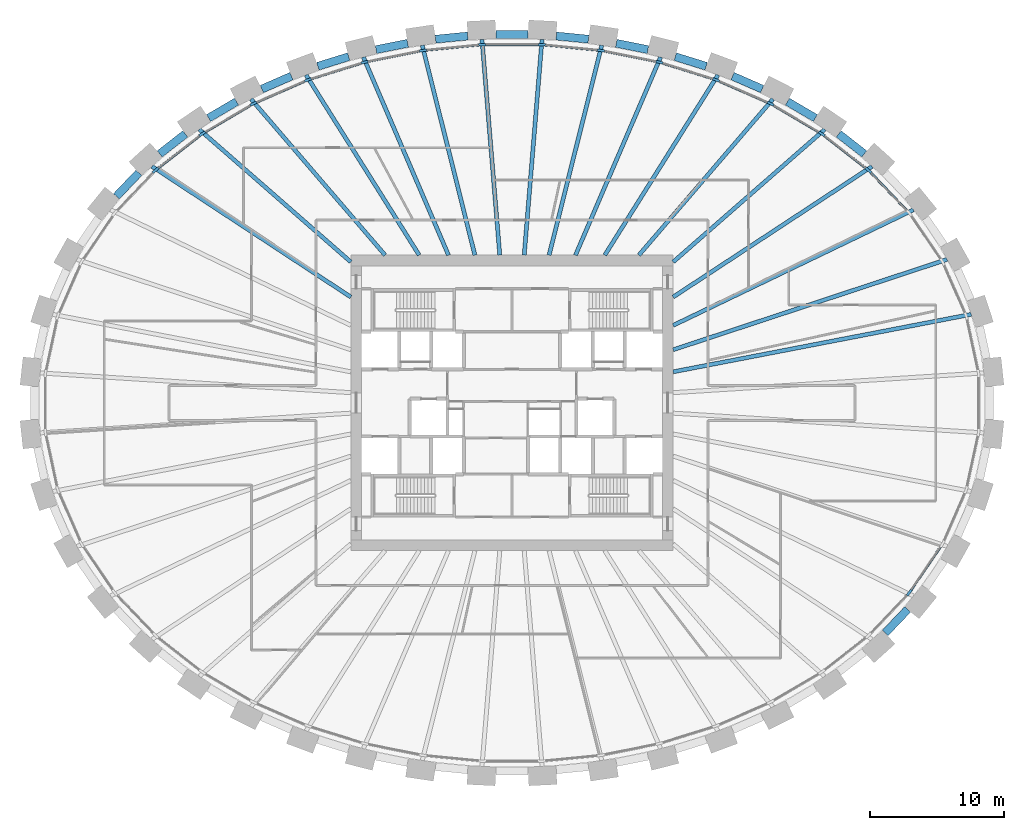
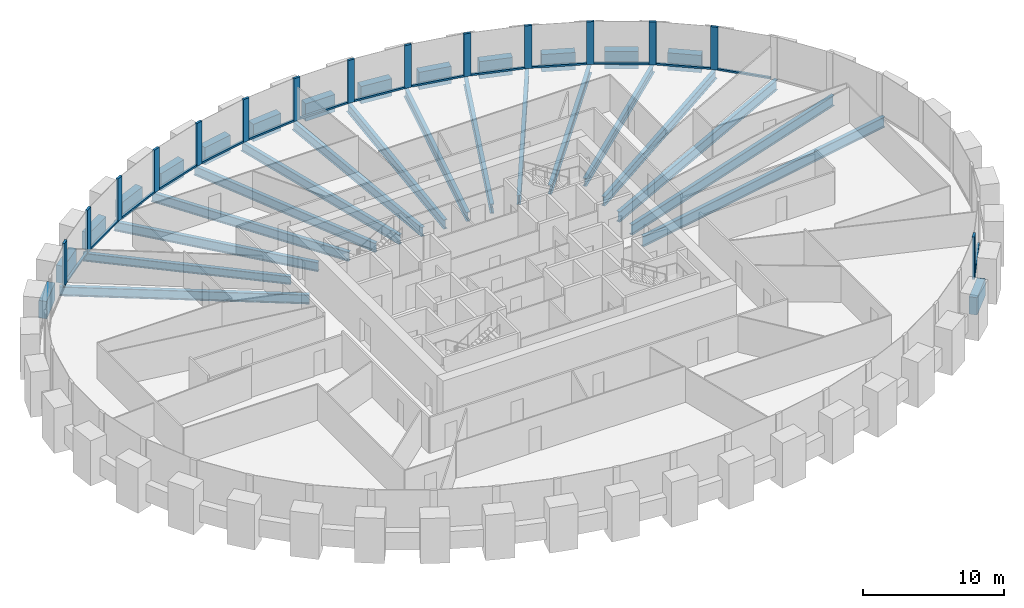
# One storey, part 3 of 11: 32 beams, 30 members, 1 element without a shape of its own.
"""IFC4 building model written with IfcOpenShell, lengths in metres."""

import ifcopenshell
import ifcopenshell.guid

model = None  # the IFC model being written
_history = None  # IfcOwnerHistory: only IFC2X3 demands one
_inside = {}  # id of a spatial element -> (the spatial element, [elements in it])
_under = {}  # id of a project, library or spatial element -> (it, [spatial elements below it])
_declared = {}  # id of a project -> (the project, [libraries it declares])
_typed = {}  # id of a type object -> (the type object, [elements of that type])
_made_of = {}  # id of a material, layer set ... -> (it, [elements and type objects made of it])


def new_model(schema):
    """Start an empty IFC model of exactly this schema.

    Asked for "IFC4X3", IfcOpenShell would pick the latest addendum, in which some entities
    have other attributes; the version numbers below select the first issue.
    IFC2X3 requires an IfcOwnerHistory on every rooted entity: one is made here for all.
    """
    global model, _history
    if schema == "IFC4X3":
        model = ifcopenshell.file(schema_version=(4, 3, 0, 0))
    else:
        model = ifcopenshell.file(schema=schema)
    _inside.clear()
    _under.clear()
    _declared.clear()
    _typed.clear()
    _made_of.clear()
    _history = None
    if model.schema == "IFC2X3":
        org = make("IfcOrganization", Name="unknown")
        user = make(
            "IfcPersonAndOrganization",
            ThePerson=make("IfcPerson", FamilyName="unknown"),
            TheOrganization=org,
        )
        app = make(
            "IfcApplication",
            ApplicationDeveloper=org,
            Version="unknown",
            ApplicationFullName="unknown",
            ApplicationIdentifier="unknown",
        )
        _history = make(
            "IfcOwnerHistory",
            OwningUser=user,
            OwningApplication=app,
            ChangeAction="ADDED",
            CreationDate=0,
        )
    return model


def make(cls, **values):
    """One entity of the class cls with the attributes given. An attribute that is None is left unset."""
    return model.create_entity(
        cls, **{name: value for name, value in values.items() if value is not None}
    )


def rooted(cls, **values):
    """An entity with a GlobalId (a new one), such as an element, a storey or a relation."""
    return make(cls, GlobalId=ifcopenshell.guid.new(), OwnerHistory=_history, **values)


def si_unit(unit_type, name, prefix=None):
    """IfcSIUnit, for example si_unit("LENGTHUNIT", "METRE", prefix="MILLI")."""
    return make("IfcSIUnit", UnitType=unit_type, Prefix=prefix, Name=name)


def assignment(units):
    """IfcUnitAssignment: the units of a project."""
    return None if units is None else make("IfcUnitAssignment", Units=units)


def point(xyz):
    """IfcCartesianPoint."""
    return None if xyz is None else make("IfcCartesianPoint", Coordinates=xyz)


def direction(xyz):
    """IfcDirection."""
    return None if xyz is None else make("IfcDirection", DirectionRatios=xyz)


def frame(location, z_axis=None, x_axis=None):
    """IfcAxis2Placement3D, a coordinate frame: its origin and axes. An axis left out is left unset."""
    return make(
        "IfcAxis2Placement3D",
        Location=point(location),
        Axis=direction(z_axis),
        RefDirection=direction(x_axis),
    )


def frame_2d(location, x_axis=None):
    """IfcAxis2Placement2D, a coordinate frame in the plane: its origin and x axis."""
    return make(
        "IfcAxis2Placement2D", Location=point(location), RefDirection=direction(x_axis)
    )


def origin():
    """The frame at (0, 0, 0) with its axes left unset."""
    return frame((0.0, 0.0, 0.0))


def origin_2d():
    """The frame at (0, 0) in the plane with its x axis left unset."""
    return frame_2d((0.0, 0.0))


def place(relative_to, where):
    """IfcLocalPlacement: puts the frame where relative to a parent placement (None: the world)."""
    return make(
        "IfcLocalPlacement", PlacementRelTo=relative_to, RelativePlacement=where
    )


def context(
    kind, dimensions, precision=None, world=None, true_north=None, identifier=None
):
    """IfcGeometricRepresentationContext, for example the 3D "Model" context."""
    return make(
        "IfcGeometricRepresentationContext",
        ContextIdentifier=identifier,
        ContextType=kind,
        CoordinateSpaceDimension=dimensions,
        Precision=precision,
        WorldCoordinateSystem=world,
        TrueNorth=true_north,
    )


def subcontext(parent, identifier, kind, view, scale=None):
    """IfcGeometricRepresentationSubContext, for example "Body" below "Model"."""
    return make(
        "IfcGeometricRepresentationSubContext",
        ContextIdentifier=identifier,
        ContextType=kind,
        ParentContext=parent,
        TargetScale=scale,
        TargetView=view,
    )


def project(units=None, contexts=None):
    """IfcProject with its units and contexts."""
    return rooted(
        "IfcProject",
        Name="project",
        RepresentationContexts=contexts,
        UnitsInContext=assignment(units),
    )


def spatial(cls, under=None, at=None, **own):
    """A site, building, storey or space (cls), placed at a placement, below another one or the project."""
    s = rooted(cls, ObjectPlacement=at, **own)
    if under is not None:
        _under.setdefault(under.id(), (under, []))[1].append(s)
    return s


def profile(cls, at=None, kind="AREA", **sizes):
    """A parametric profile (cls). Its sizes go by their IFC names, for example OverallWidth=200.0."""
    return make(cls, ProfileType=kind, Position=at, **sizes)


def rectangle(**sizes):
    """IfcRectangleProfileDef."""
    return profile("IfcRectangleProfileDef", **sizes)


def i_section(**sizes):
    """IfcIShapeProfileDef."""
    return profile("IfcIShapeProfileDef", **sizes)


def extrude(swept, where, along, depth):
    """IfcExtrudedAreaSolid: the profile swept, set in the frame where, extruded along a direction by depth."""
    return make(
        "IfcExtrudedAreaSolid",
        SweptArea=swept,
        Position=where,
        ExtrudedDirection=direction(along),
        Depth=depth,
    )


def shape(context_of_items, identifier, shape_type, items):
    """IfcShapeRepresentation: the items that make up one representation, for example the "Body"."""
    return make(
        "IfcShapeRepresentation",
        ContextOfItems=context_of_items,
        RepresentationIdentifier=identifier,
        RepresentationType=shape_type,
        Items=items,
    )


def source(mapping_origin, context_of_items, identifier, shape_type, items):
    """IfcRepresentationMap: a shape defined once, which mapped items show again and again."""
    return make(
        "IfcRepresentationMap",
        MappingOrigin=mapping_origin,
        MappedRepresentation=shape(context_of_items, identifier, shape_type, items),
    )


def transform(
    local_origin,
    x_axis=None,
    y_axis=None,
    z_axis=None,
    scale=None,
    scale2=None,
    scale3=None,
    uniform=True,
):
    """IfcCartesianTransformationOperator3D, or its non-uniform kind. x_axis, y_axis, z_axis: its Axis1, 2, 3."""
    if uniform:
        return make(
            "IfcCartesianTransformationOperator3D",
            Axis1=direction(x_axis),
            Axis2=direction(y_axis),
            LocalOrigin=point(local_origin),
            Scale=scale,
            Axis3=direction(z_axis),
        )
    return make(
        "IfcCartesianTransformationOperator3DnonUniform",
        Axis1=direction(x_axis),
        Axis2=direction(y_axis),
        LocalOrigin=point(local_origin),
        Scale=scale,
        Axis3=direction(z_axis),
        Scale2=scale2,
        Scale3=scale3,
    )


def mapped(mapping_source, mapping_target):
    """IfcMappedItem: shows the shape of a source again, moved by a transform."""
    return make(
        "IfcMappedItem", MappingSource=mapping_source, MappingTarget=mapping_target
    )


def material(Name=None, Category=None):
    """IfcMaterial."""
    return make("IfcMaterial", Name=Name, Category=Category)


def material_profile(
    of_material, cross_section, Name=None, Category=None, Priority=None
):
    """IfcMaterialProfile: a cross section and its material."""
    return make(
        "IfcMaterialProfile",
        Name=Name,
        Material=of_material,
        Profile=cross_section,
        Priority=Priority,
        Category=Category,
    )


def profile_set(profiles, Name=None, composite=None):
    """IfcMaterialProfileSet."""
    return make(
        "IfcMaterialProfileSet",
        Name=Name,
        MaterialProfiles=profiles,
        CompositeProfile=composite,
    )


def made_of(thing, what):
    """Note that an element or type object is made of a material, layer set ...; save() writes the relation."""
    if what is not None:
        _made_of.setdefault(what.id(), (what, []))[1].append(thing)
    return thing


def type_object(cls, material=None, **own):
    """A type object (cls), such as IfcWallType, which elements share."""
    return made_of(rooted(cls, **own), material)


def element(
    cls,
    number,
    at=None,
    inside=None,
    cuts=None,
    type_object=None,
    material=None,
    context=None,
    identifier="Body",
    shape_type=None,
    held_by="IfcProductDefinitionShape",
    body=None,
    shapes=None,
    **own,
):
    """One element of the class cls, such as IfcWall. Its Tag is "e" and its number.

    at: its placement. inside: the storey or other place that contains it. cuts: it is an
    opening in that element (IfcRelVoidsElement). A single representation is given by context,
    identifier, shape_type and body (its items); several are given by shapes. held_by: the class
    of the entity that holds the representations. save() writes the other relations.
    """
    e = rooted(cls, Tag="e%d" % number, ObjectPlacement=at, **own)
    if body is not None:
        shapes = [shape(context, identifier, shape_type, body)]
    if shapes is not None:
        e.Representation = make(held_by, Representations=shapes)
    if inside is not None:
        _inside.setdefault(inside.id(), (inside, []))[1].append(e)
    if cuts is not None:
        rooted(
            "IfcRelVoidsElement", RelatingBuildingElement=cuts, RelatedOpeningElement=e
        )
    if type_object is not None:
        _typed.setdefault(type_object.id(), (type_object, []))[1].append(e)
    return made_of(e, material)


def aggregate(whole, parts):
    """IfcRelAggregates: a whole, such as a stair, and the parts it consists of."""
    return rooted("IfcRelAggregates", RelatingObject=whole, RelatedObjects=parts)


def save(model, path):
    """Write the relations noted so far, then the file.

    IfcRelAggregates (storeys below a building ...), IfcRelContainedInSpatialStructure (elements
    in a storey), IfcRelDefinesByType, IfcRelAssociatesMaterial and IfcRelDeclares: one each for
    every whole, place, type object, material and project.
    """
    for whole, parts in _under.values():
        aggregate(whole, parts)
    for where, things in _inside.values():
        rooted(
            "IfcRelContainedInSpatialStructure",
            RelatedElements=things,
            RelatingStructure=where,
        )
    for kind, things in _typed.values():
        rooted("IfcRelDefinesByType", RelatedObjects=things, RelatingType=kind)
    for what, things in _made_of.values():
        rooted("IfcRelAssociatesMaterial", RelatedObjects=things, RelatingMaterial=what)
    for by, libraries in _declared.values():
        rooted("IfcRelDeclares", RelatingContext=by, RelatedDefinitions=libraries)
    model.write(path)


model = new_model("IFC4")

# Units and contexts
model_context = context("Model", 3, precision=1e-05, world=origin(), true_north=direction((0.0, 1.0)))
body_context = subcontext(model_context, "Body", "Model", "MODEL_VIEW")
ifc_project = project(units=[si_unit("LENGTHUNIT", "METRE"), si_unit("AREAUNIT", "SQUARE_METRE"), si_unit("VOLUMEUNIT", "CUBIC_METRE"), si_unit("PLANEANGLEUNIT", "RADIAN"), si_unit("MASSUNIT", "GRAM", prefix="KILO")], contexts=[model_context])

# Site, building, storey
site_placement = place(None, origin())
site = spatial("IfcSite", under=ifc_project, at=site_placement, CompositionType="ELEMENT")
building_placement = place(site_placement, origin())
building = spatial("IfcBuilding", under=site, at=building_placement, Name="Embergate Tower", CompositionType="ELEMENT")
storey_placement = place(building_placement, frame((0.0, 0.0, 199.5)))
storey = spatial("IfcBuildingStorey", under=building, at=storey_placement, Name="L45", CompositionType="ELEMENT", Elevation=199.5)

# Beams
ifc_material_1 = material(Name="Concrete C60", Category="concrete")
ifc_material_profile_1 = material_profile(ifc_material_1, rectangle(XDim=0.60009765625, YDim=1.5, at=origin_2d()), Name="RC 600x1500")
ifc_profile_set_1 = profile_set([ifc_material_profile_1], Name="Concrete C60")
beam_type_1 = type_object("IfcBeamType", Name="Spandrel beam RC 600x1500 C60", PredefinedType="BEAM", material=ifc_profile_set_1)
shared_shape_1 = source(origin(), body_context, "Body", "SweptSolid", [
    extrude(rectangle(XDim=0.60009765625, YDim=1.5, at=origin_2d()), origin(), (0.0, 0.0, 1.0), 2.419677734375),
])
for number, where, z_axis, x_axis, name in (
    (1, (-27.779052734375, 17.1279296875, 0.0), (-0.69015890768, -0.723657848813, 0.0), (0.723657848813, -0.69015890768, 0.0), "SPN-L45-17"),
    (2, (27.779052734375, -17.1279296875, 0.0), (0.69015890768, 0.723657848813, 0.0), (-0.723657848813, 0.69015890768, 0.0), "SPN-L45-39"),
):
    element("IfcBeam", number, at=place(storey_placement, frame(where, z_axis=z_axis, x_axis=x_axis)), inside=storey, type_object=beam_type_1, Name=name, PredefinedType="BEAM", context=body_context, shape_type="MappedRepresentation", body=[
        mapped(shared_shape_1, transform((0.0, 0.0, 0.0))),
    ])
shared_shape_2 = source(origin(), body_context, "Body", "SweptSolid", [
    extrude(rectangle(XDim=0.60009765625, YDim=1.5, at=origin_2d()), origin(), (0.0, 0.0, 1.0), 2.4150390625),
])
for number, where, z_axis, x_axis, name in (
    (3, (26.222900390625, 18.5380859375, 0.0), (-0.788327742651, 0.615255532415, 0.0), (-0.615255532415, -0.788327742651, 0.0), "SPN-L45-04"),
    (4, (-24.319091796875, 20.02392578125, 0.0), (-0.788327742651, -0.615255532415, 0.0), (0.615255532415, -0.788327742651, 0.0), "SPN-L45-16"),
):
    element("IfcBeam", number, at=place(storey_placement, frame(where, z_axis=z_axis, x_axis=x_axis)), inside=storey, type_object=beam_type_1, Name=name, PredefinedType="BEAM", context=body_context, shape_type="MappedRepresentation", body=[
        mapped(shared_shape_2, transform((0.0, 0.0, 0.0))),
    ])
shared_shape_3 = source(origin(), body_context, "Body", "SweptSolid", [
    extrude(rectangle(XDim=0.60009765625, YDim=1.5, at=origin_2d()), origin(), (0.0, 0.0, 1.0), 2.41015625),
])
for number, where, z_axis, x_axis, name in (
    (5, (22.58203125, 21.205078125, 0.0), (-0.862202298523, 0.506564108895, 0.0), (-0.506564108895, -0.862202298523, 0.0), "SPN-L45-05"),
    (6, (-20.50390625, 22.426025390625, 0.0), (-0.862202298523, -0.506564108895, 0.0), (0.506564108895, -0.862202298523, 0.0), "SPN-L45-15"),
):
    element("IfcBeam", number, at=place(storey_placement, frame(where, z_axis=z_axis, x_axis=x_axis)), inside=storey, type_object=beam_type_1, Name=name, PredefinedType="BEAM", context=body_context, shape_type="MappedRepresentation", body=[
        mapped(shared_shape_3, transform((0.0, 0.0, 0.0))),
    ])
shared_shape_4 = source(origin(), body_context, "Body", "SweptSolid", [
    extrude(rectangle(XDim=0.60009765625, YDim=1.5, at=origin_2d()), origin(), (0.0, 0.0, 1.0), 2.407470703125),
])
for number, where, z_axis, x_axis, name in (
    (7, (18.625, 23.363037109375, 0.0), (-0.916352733651, 0.400371911515, 0.0), (-0.400371911515, -0.916352733651, 0.0), "SPN-L45-06"),
    (8, (-16.4189453125, 24.326904296875, 0.0), (-0.916352733651, -0.400371911515, 0.0), (0.400371911515, -0.916352733651, 0.0), "SPN-L45-14"),
):
    element("IfcBeam", number, at=place(storey_placement, frame(where, z_axis=z_axis, x_axis=x_axis)), inside=storey, type_object=beam_type_1, Name=name, PredefinedType="BEAM", context=body_context, shape_type="MappedRepresentation", body=[
        mapped(shared_shape_4, transform((0.0, 0.0, 0.0))),
    ])
shared_shape_5 = source(origin(), body_context, "Body", "SweptSolid", [
    extrude(rectangle(XDim=0.60009765625, YDim=1.5, at=origin_2d()), origin(), (0.0, 0.0, 1.0), 2.404541015625),
])
for number, where, z_axis, x_axis, name in (
    (9, (14.451904296875, 25.06103515625, 0.0), (-0.954790193156, 0.297280485491, 0.0), (-0.297280485491, -0.954790193156, 0.0), "SPN-L45-07"),
    (10, (-12.156005859375, 25.77587890625, 0.0), (-0.954790193156, -0.297280485491, 0.0), (0.297280485491, -0.954790193156, 0.0), "SPN-L45-13"),
):
    element("IfcBeam", number, at=place(storey_placement, frame(where, z_axis=z_axis, x_axis=x_axis)), inside=storey, type_object=beam_type_1, Name=name, PredefinedType="BEAM", context=body_context, shape_type="MappedRepresentation", body=[
        mapped(shared_shape_5, transform((0.0, 0.0, 0.0))),
    ])
shared_shape_6 = source(origin(), body_context, "Body", "SweptSolid", [
    extrude(rectangle(XDim=0.60009765625, YDim=1.5, at=origin_2d()), origin(), (0.0, 0.0, 1.0), 2.40185546875),
])
for number, where, z_axis, x_axis, name in (
    (11, (10.12109375, 26.2958984375, 0.0), (-0.980486735487, 0.196585252585, 0.0), (-0.196585252585, -0.980486735487, 0.0), "SPN-L45-08"),
    (12, (1.200927734375, 27.416015625, 0.0), (-1.0, 0.0, 0.0), (0.0, -1.0, 0.0), "SPN-L45-10"),
    (13, (-7.76611328125, 26.76806640625, 0.0), (-0.980486735487, -0.196585252585, 0.0), (0.196585252585, -0.980486735487, 0.0), "SPN-L45-12"),
):
    element("IfcBeam", number, at=place(storey_placement, frame(where, z_axis=z_axis, x_axis=x_axis)), inside=storey, type_object=beam_type_1, Name=name, PredefinedType="BEAM", context=body_context, shape_type="MappedRepresentation", body=[
        mapped(shared_shape_6, transform((0.0, 0.0, 0.0))),
    ])
shared_shape_7 = source(origin(), body_context, "Body", "SweptSolid", [
    extrude(rectangle(XDim=0.60009765625, YDim=1.5, at=origin_2d()), origin(), (0.0, 0.0, 1.0), 2.4013671875),
])
for number, where, z_axis, x_axis, name in (
    (14, (5.68896484375, 27.077880859375, 0.0), (-0.995195949519, 0.097903125895, 0.0), (-0.097903125895, -0.995195949519, 0.0), "SPN-L45-09"),
    (15, (-3.299072265625, 27.31298828125, 0.0), (-0.995195949519, -0.097903125895, 0.0), (0.097903125895, -0.995195949519, 0.0), "SPN-L45-11"),
):
    element("IfcBeam", number, at=place(storey_placement, frame(where, z_axis=z_axis, x_axis=x_axis)), inside=storey, type_object=beam_type_1, Name=name, PredefinedType="BEAM", context=body_context, shape_type="MappedRepresentation", body=[
        mapped(shared_shape_7, transform((0.0, 0.0, 0.0))),
    ])
ifc_material_2 = material(Name="Steel Q355B", Category="steel")
ifc_material_profile_2 = material_profile(ifc_material_2, i_section(OverallWidth=0.300048828125, OverallDepth=0.89990234375, WebThickness=0.01611328125, FlangeThickness=0.028076171875, FilletRadius=0.028076171875, at=origin_2d()), Name="HN 900x300x16x28")
ifc_profile_set_2 = profile_set([ifc_material_profile_2], Name="Steel Q355 grade B")
beam_type_2 = type_object("IfcBeamType", Name="Radial girder HN 900x300x16x28", PredefinedType="BEAM", material=ifc_profile_set_2)
shared_shape_8 = source(origin(), body_context, "Body", "SweptSolid", [
    extrude(i_section(OverallWidth=0.300048828125, OverallDepth=0.89990234375, WebThickness=0.01611328125, FlangeThickness=0.028076171875, FilletRadius=0.028076171875, at=origin_2d()), origin(), (0.0, 0.0, 1.0), 22.592041015625),
])
beam_1_placement = place(storey_placement, frame((34.18310546875, 6.593994140625, -0.64990234375), z_axis=(-0.98189899441, -0.189405292367, 0.0), x_axis=(0.189405292367, -0.98189899441, 0.0)))
element("IfcBeam", 16, at=beam_1_placement, inside=storey, type_object=beam_type_2, Name="GIR-L45-01", PredefinedType="BEAM", context=body_context, shape_type="MappedRepresentation", body=[
    mapped(shared_shape_8, transform((0.0, 0.0, 0.0))),
])
shared_shape_9 = source(origin(), body_context, "Body", "SweptSolid", [
    extrude(i_section(OverallWidth=0.300048828125, OverallDepth=0.89990234375, WebThickness=0.01611328125, FlangeThickness=0.028076171875, FilletRadius=0.028076171875, at=origin_2d()), origin(), (0.0, 0.0, 1.0), 21.47119140625),
])
beam_2_placement = place(storey_placement, frame((32.39111328125, 10.681884765625, -0.64990234375), z_axis=(-0.949700564112, -0.313159445849, 0.0), x_axis=(0.313159445849, -0.949700564112, 0.0)))
element("IfcBeam", 17, at=beam_2_placement, inside=storey, type_object=beam_type_2, Name="GIR-L45-02", PredefinedType="BEAM", context=body_context, shape_type="MappedRepresentation", body=[
    mapped(shared_shape_9, transform((0.0, 0.0, 0.0))),
])
shared_shape_10 = source(origin(), body_context, "Body", "SweptSolid", [
    extrude(i_section(OverallWidth=0.300048828125, OverallDepth=0.89990234375, WebThickness=0.01611328125, FlangeThickness=0.028076171875, FilletRadius=0.028076171875, at=origin_2d()), origin(), (0.0, 0.0, 1.0), 19.841064453125),
])
beam_3_placement = place(storey_placement, frame((29.8798828125, 14.3740234375, -0.64990234375), z_axis=(-0.901154450988, -0.433498160854, 0.0), x_axis=(0.433498160854, -0.901154450988, 0.0)))
element("IfcBeam", 18, at=beam_3_placement, inside=storey, type_object=beam_type_2, Name="GIR-L45-03", PredefinedType="BEAM", context=body_context, shape_type="MappedRepresentation", body=[
    mapped(shared_shape_10, transform((0.0, 0.0, 0.0))),
])
ifc_material_profile_3 = material_profile(ifc_material_2, i_section(OverallWidth=0.300048828125, OverallDepth=0.800048828125, WebThickness=0.013916015625, FlangeThickness=0.02587890625, FilletRadius=0.028076171875, at=origin_2d()), Name="HN 800x300x14x26")
ifc_profile_set_3 = profile_set([ifc_material_profile_3], Name="Steel Q355 grade B")
beam_type_3 = type_object("IfcBeamType", Name="Radial girder HN 800x300x14x26", PredefinedType="BEAM", material=ifc_profile_set_3)
shared_shape_11 = source(origin(), body_context, "Body", "SweptSolid", [
    extrude(i_section(OverallWidth=0.300048828125, OverallDepth=0.800048828125, WebThickness=0.013916015625, FlangeThickness=0.02587890625, FilletRadius=0.028076171875, at=origin_2d()), origin(), (0.0, 0.0, 1.0), 17.70654296875),
])
for number, where, z_axis, x_axis, name in (
    (19, (26.798095703125, 17.60693359375, -0.60009765625), (-0.835745977406, -0.549116254767, 0.0), (0.549116254767, -0.835745977406, 0.0), "GIR-L45-04"),
    (20, (-26.798095703125, 17.60693359375, -0.60009765625), (0.835745977406, -0.549116254767, 0.0), (0.549116254767, 0.835745977406, 0.0), "GIR-L45-17"),
):
    element("IfcBeam", number, at=place(storey_placement, frame(where, z_axis=z_axis, x_axis=x_axis)), inside=storey, type_object=beam_type_3, Name=name, PredefinedType="BEAM", context=body_context, shape_type="MappedRepresentation", body=[
        mapped(shared_shape_11, transform((0.0, 0.0, 0.0))),
    ])
ifc_material_profile_4 = material_profile(ifc_material_2, i_section(OverallWidth=0.300048828125, OverallDepth=0.699951171875, WebThickness=0.012939453125, FlangeThickness=0.02392578125, FilletRadius=0.01806640625, at=origin_2d()), Name="HN 700x300x13x24")
ifc_profile_set_4 = profile_set([ifc_material_profile_4], Name="Steel Q355 grade B")
beam_type_4 = type_object("IfcBeamType", Name="Radial girder HN 700x300x13x24", PredefinedType="BEAM", material=ifc_profile_set_4)
shared_shape_12 = source(origin(), body_context, "Body", "SweptSolid", [
    extrude(i_section(OverallWidth=0.300048828125, OverallDepth=0.699951171875, WebThickness=0.012939453125, FlangeThickness=0.02392578125, FilletRadius=0.01806640625, at=origin_2d()), origin(), (0.0, 0.0, 1.0), 14.9794921875),
])
for number, where, z_axis, x_axis, name in (
    (21, (23.27587890625, 20.35595703125, -0.550048828125), (-0.752760419663, -0.658294577365, 0.0), (0.658294577365, -0.752760419663, 0.0), "GIR-L45-05"),
    (22, (-23.27587890625, 20.35595703125, -0.550048828125), (0.752760419663, -0.658294577365, 0.0), (0.658294577365, 0.752760419663, 0.0), "GIR-L45-16"),
):
    element("IfcBeam", number, at=place(storey_placement, frame(where, z_axis=z_axis, x_axis=x_axis)), inside=storey, type_object=beam_type_4, Name=name, PredefinedType="BEAM", context=body_context, shape_type="MappedRepresentation", body=[
        mapped(shared_shape_12, transform((0.0, 0.0, 0.0))),
    ])
shared_shape_13 = source(origin(), body_context, "Body", "SweptSolid", [
    extrude(i_section(OverallWidth=0.300048828125, OverallDepth=0.800048828125, WebThickness=0.013916015625, FlangeThickness=0.02587890625, FilletRadius=0.028076171875, at=origin_2d()), origin(), (0.0, 0.0, 1.0), 15.31689453125),
])
for number, where, z_axis, x_axis, name in (
    (23, (19.425048828125, 22.6201171875, -0.60009765625), (-0.651502542644, -0.758646450548, 0.0), (0.758646450548, -0.651502542644, 0.0), "GIR-L45-06"),
    (24, (-19.425048828125, 22.6201171875, -0.60009765625), (0.651502542644, -0.758646450548, 0.0), (0.758646450548, 0.651502542644, 0.0), "GIR-L45-15"),
):
    element("IfcBeam", number, at=place(storey_placement, frame(where, z_axis=z_axis, x_axis=x_axis)), inside=storey, type_object=beam_type_3, Name=name, PredefinedType="BEAM", context=body_context, shape_type="MappedRepresentation", body=[
        mapped(shared_shape_13, transform((0.0, 0.0, 0.0))),
    ])
shared_shape_14 = source(origin(), body_context, "Body", "SweptSolid", [
    extrude(i_section(OverallWidth=0.300048828125, OverallDepth=0.800048828125, WebThickness=0.013916015625, FlangeThickness=0.02587890625, FilletRadius=0.028076171875, at=origin_2d()), origin(), (0.0, 0.0, 1.0), 15.836181640625),
])
for number, where, z_axis, x_axis, name in (
    (25, (15.330078125, 24.410888671875, -0.60009765625), (-0.531828302788, -0.846852204552, 0.0), (0.846852204552, -0.531828302788, 0.0), "GIR-L45-07"),
    (26, (-15.330078125, 24.410888671875, -0.60009765625), (0.531828302788, -0.846852204552, 0.0), (0.846852204552, 0.531828302788, 0.0), "GIR-L45-14"),
):
    element("IfcBeam", number, at=place(storey_placement, frame(where, z_axis=z_axis, x_axis=x_axis)), inside=storey, type_object=beam_type_3, Name=name, PredefinedType="BEAM", context=body_context, shape_type="MappedRepresentation", body=[
        mapped(shared_shape_14, transform((0.0, 0.0, 0.0))),
    ])
shared_shape_15 = source(origin(), body_context, "Body", "SweptSolid", [
    extrude(i_section(OverallWidth=0.300048828125, OverallDepth=0.800048828125, WebThickness=0.013916015625, FlangeThickness=0.02587890625, FilletRadius=0.028076171875, at=origin_2d()), origin(), (0.0, 0.0, 1.0), 16.043701171875),
])
for number, where, z_axis, x_axis, name in (
    (27, (11.06298828125, 25.739990234375, -0.60009765625), (-0.394857578675, -0.918742342859, 0.0), (0.918742342859, -0.394857578675, 0.0), "GIR-L45-08"),
    (28, (-11.06298828125, 25.739990234375, -0.60009765625), (0.394857578675, -0.918742342859, 0.0), (0.918742342859, 0.394857578675, 0.0), "GIR-L45-13"),
):
    element("IfcBeam", number, at=place(storey_placement, frame(where, z_axis=z_axis, x_axis=x_axis)), inside=storey, type_object=beam_type_3, Name=name, PredefinedType="BEAM", context=body_context, shape_type="MappedRepresentation", body=[
        mapped(shared_shape_15, transform((0.0, 0.0, 0.0))),
    ])
shared_shape_16 = source(origin(), body_context, "Body", "SweptSolid", [
    extrude(i_section(OverallWidth=0.300048828125, OverallDepth=0.800048828125, WebThickness=0.013916015625, FlangeThickness=0.02587890625, FilletRadius=0.028076171875, at=origin_2d()), origin(), (0.0, 0.0, 1.0), 16.103515625),
])
for number, where, z_axis, x_axis, name in (
    (29, (6.681884765625, 26.618896484375, -0.60009765625), (-0.243480824062, -0.969905711043, 0.0), (0.969905711043, -0.243480824062, 0.0), "GIR-L45-09"),
    (30, (-6.681884765625, 26.618896484375, -0.60009765625), (0.243480824062, -0.969905711043, 0.0), (0.969905711043, 0.243480824062, 0.0), "GIR-L45-12"),
):
    element("IfcBeam", number, at=place(storey_placement, frame(where, z_axis=z_axis, x_axis=x_axis)), inside=storey, type_object=beam_type_3, Name=name, PredefinedType="BEAM", context=body_context, shape_type="MappedRepresentation", body=[
        mapped(shared_shape_16, transform((0.0, 0.0, 0.0))),
    ])
shared_shape_17 = source(origin(), body_context, "Body", "SweptSolid", [
    extrude(i_section(OverallWidth=0.300048828125, OverallDepth=0.800048828125, WebThickness=0.013916015625, FlangeThickness=0.02587890625, FilletRadius=0.028076171875, at=origin_2d()), origin(), (0.0, 0.0, 1.0), 16.110595703125),
])
for number, where, z_axis, x_axis, name in (
    (31, (2.235107421875, 27.055908203125, -0.60009765625), (-0.082316809043, -0.996606212578, 0.0), (0.996606212578, -0.082316809043, 0.0), "GIR-L45-10"),
    (32, (-2.235107421875, 27.055908203125, -0.60009765625), (0.082316809043, -0.996606212578, 0.0), (0.996606212578, 0.082316809043, 0.0), "GIR-L45-11"),
):
    element("IfcBeam", number, at=place(storey_placement, frame(where, z_axis=z_axis, x_axis=x_axis)), inside=storey, type_object=beam_type_3, Name=name, PredefinedType="BEAM", context=body_context, shape_type="MappedRepresentation", body=[
        mapped(shared_shape_17, transform((0.0, 0.0, 0.0))),
    ])

# Curtain wall, members
ifc_material_3 = material(Name="Aluminium and glass", Category="aluminium")
curtain_wall_type = type_object("IfcCurtainWallType", Name="Recessed office glazing", PredefinedType="NOTDEFINED", material=ifc_material_3)
curtain_wall_placement = place(storey_placement, origin())
curtain_wall = element("IfcCurtainWall", 33, at=curtain_wall_placement, inside=storey, type_object=curtain_wall_type, Name="Recessed office glazing ring", ObjectType="RECESSED OFFICE GLAZING", PredefinedType="USERDEFINED")
ifc_material_4 = material(Name="Aluminium, thermally broken", Category="aluminium")
ifc_material_profile_5 = material_profile(ifc_material_4, rectangle(XDim=0.179931640625, YDim=0.52001953125, at=origin_2d()), Name="AL 520x180")
ifc_profile_set_5 = profile_set([ifc_material_profile_5], Name="Aluminium, thermally broken")
member_type_1 = type_object("IfcMemberType", Name="Office mullion", PredefinedType="MULLION", material=ifc_profile_set_5)
shared_shape_18 = source(origin(), body_context, "Body", "SweptSolid", [
    extrude(rectangle(XDim=0.179931640625, YDim=0.52001953125, at=origin_2d()), origin(), (0.0, 0.0, 1.0), 3.699951171875),
])
member_1_placement = place(storey_placement, frame((26.53662109375, 17.3173828125, 0.0), z_axis=(0.0, 0.0, 1.0), x_axis=(-0.671235590011, -0.741244077684, 0.0)))
member_1 = element("IfcMember", 34, at=member_1_placement, type_object=member_type_1, Name="CW mullion 5", PredefinedType="MULLION", context=body_context, shape_type="MappedRepresentation", body=[
    mapped(shared_shape_18, transform((0.0, 0.0, 0.0))),
])
member_2_placement = place(storey_placement, frame((23.057373046875, 20.03271484375, 0.0), z_axis=(0.0, 0.0, 1.0), x_axis=(-0.562226278725, -0.826983440893, 0.0)))
member_2 = element("IfcMember", 35, at=member_2_placement, type_object=member_type_1, Name="CW mullion 6", PredefinedType="MULLION", context=body_context, shape_type="MappedRepresentation", body=[
    mapped(shared_shape_18, transform((0.0, 0.0, 0.0))),
])
member_3_placement = place(storey_placement, frame((19.247802734375, 22.272705078125, 0.0), z_axis=(0.0, 0.0, 1.0), x_axis=(-0.454520708319, -0.890736170653, 0.0)))
member_3 = element("IfcMember", 36, at=member_3_placement, type_object=member_type_1, Name="CW mullion 7", PredefinedType="MULLION", context=body_context, shape_type="MappedRepresentation", body=[
    mapped(shared_shape_18, transform((0.0, 0.0, 0.0))),
])
member_4_placement = place(storey_placement, frame((15.194580078125, 24.045166015625, 0.0), z_axis=(0.0, 0.0, 1.0), x_axis=(-0.349510859141, -0.936932313106, 0.0)))
member_4 = element("IfcMember", 37, at=member_4_placement, type_object=member_type_1, Name="CW mullion 8", PredefinedType="MULLION", context=body_context, shape_type="MappedRepresentation", body=[
    mapped(shared_shape_18, transform((0.0, 0.0, 0.0))),
])
member_5_placement = place(storey_placement, frame((10.967529296875, 25.361572265625, 0.0), z_axis=(0.0, 0.0, 1.0), x_axis=(-0.247318645812, -0.968934201808, 0.0)))
member_5 = element("IfcMember", 38, at=member_5_placement, type_object=member_type_1, Name="CW mullion 9", PredefinedType="MULLION", context=body_context, shape_type="MappedRepresentation", body=[
    mapped(shared_shape_18, transform((0.0, 0.0, 0.0))),
])
member_6_placement = place(storey_placement, frame((6.624755859375, 26.232421875, 0.0), z_axis=(0.0, 0.0, 1.0), x_axis=(-0.147415835341, -0.989074603602, 0.0)))
member_6 = element("IfcMember", 39, at=member_6_placement, type_object=member_type_1, Name="CW mullion 10", PredefinedType="MULLION", context=body_context, shape_type="MappedRepresentation", body=[
    mapped(shared_shape_18, transform((0.0, 0.0, 0.0))),
])
member_7_placement = place(storey_placement, frame((2.215576171875, 26.666015625, 0.0), z_axis=(0.0, 0.0, 1.0), x_axis=(-0.048971796621, -0.998800161762, 0.0)))
member_7 = element("IfcMember", 40, at=member_7_placement, type_object=member_type_1, Name="CW mullion 11", PredefinedType="MULLION", context=body_context, shape_type="MappedRepresentation", body=[
    mapped(shared_shape_18, transform((0.0, 0.0, 0.0))),
])
member_8_placement = place(storey_placement, frame((-2.215576171875, 26.666015625, 0.0), z_axis=(0.0, 0.0, 1.0), x_axis=(0.048971796621, -0.998800161762, 0.0)))
member_8 = element("IfcMember", 41, at=member_8_placement, type_object=member_type_1, Name="CW mullion 12", PredefinedType="MULLION", context=body_context, shape_type="MappedRepresentation", body=[
    mapped(shared_shape_18, transform((0.0, 0.0, 0.0))),
])
member_9_placement = place(storey_placement, frame((-6.624755859375, 26.232421875, 0.0), z_axis=(0.0, 0.0, 1.0), x_axis=(0.147415835341, -0.989074603602, 0.0)))
member_9 = element("IfcMember", 42, at=member_9_placement, type_object=member_type_1, Name="CW mullion 13", PredefinedType="MULLION", context=body_context, shape_type="MappedRepresentation", body=[
    mapped(shared_shape_18, transform((0.0, 0.0, 0.0))),
])
member_10_placement = place(storey_placement, frame((-10.967529296875, 25.361572265625, 0.0), z_axis=(0.0, 0.0, 1.0), x_axis=(0.247318645812, -0.968934201808, 0.0)))
member_10 = element("IfcMember", 43, at=member_10_placement, type_object=member_type_1, Name="CW mullion 14", PredefinedType="MULLION", context=body_context, shape_type="MappedRepresentation", body=[
    mapped(shared_shape_18, transform((0.0, 0.0, 0.0))),
])
member_11_placement = place(storey_placement, frame((-15.194580078125, 24.045166015625, 0.0), z_axis=(0.0, 0.0, 1.0), x_axis=(0.349510859141, -0.936932313106, 0.0)))
member_11 = element("IfcMember", 44, at=member_11_placement, type_object=member_type_1, Name="CW mullion 15", PredefinedType="MULLION", context=body_context, shape_type="MappedRepresentation", body=[
    mapped(shared_shape_18, transform((0.0, 0.0, 0.0))),
])
member_12_placement = place(storey_placement, frame((-19.247802734375, 22.272705078125, 0.0), z_axis=(0.0, 0.0, 1.0), x_axis=(0.454520708319, -0.890736170653, 0.0)))
member_12 = element("IfcMember", 45, at=member_12_placement, type_object=member_type_1, Name="CW mullion 16", PredefinedType="MULLION", context=body_context, shape_type="MappedRepresentation", body=[
    mapped(shared_shape_18, transform((0.0, 0.0, 0.0))),
])
member_13_placement = place(storey_placement, frame((-23.057373046875, 20.03271484375, 0.0), z_axis=(0.0, 0.0, 1.0), x_axis=(0.562226278725, -0.826983440893, 0.0)))
member_13 = element("IfcMember", 46, at=member_13_placement, type_object=member_type_1, Name="CW mullion 17", PredefinedType="MULLION", context=body_context, shape_type="MappedRepresentation", body=[
    mapped(shared_shape_18, transform((0.0, 0.0, 0.0))),
])
member_14_placement = place(storey_placement, frame((-26.53662109375, 17.3173828125, 0.0), z_axis=(0.0, 0.0, 1.0), x_axis=(0.671235590011, -0.741244077684, 0.0)))
member_14 = element("IfcMember", 47, at=member_14_placement, type_object=member_type_1, Name="CW mullion 18", PredefinedType="MULLION", context=body_context, shape_type="MappedRepresentation", body=[
    mapped(shared_shape_18, transform((0.0, 0.0, 0.0))),
])
member_15_placement = place(storey_placement, frame((29.577392578125, -14.128662109375, 0.0), z_axis=(0.0, 0.0, 1.0), x_axis=(-0.777879145133, 0.628413904658, 0.0)))
member_15 = element("IfcMember", 48, at=member_15_placement, type_object=member_type_1, Name="CW mullion 41", PredefinedType="MULLION", context=body_context, shape_type="MappedRepresentation", body=[
    mapped(shared_shape_18, transform((0.0, 0.0, 0.0))),
])
ifc_material_profile_6 = material_profile(ifc_material_4, rectangle(XDim=0.179931640625, YDim=0.14990234375, at=origin_2d()), Name="AL 150x180")
ifc_profile_set_6 = profile_set([ifc_material_profile_6], Name="Aluminium, thermally broken")
member_type_2 = type_object("IfcMemberType", Name="Office sill transom", PredefinedType="USERDEFINED", material=ifc_profile_set_6)
shared_shape_19 = source(origin(), body_context, "Body", "SweptSolid", [
    extrude(rectangle(XDim=0.179931640625, YDim=0.14990234375, at=origin_2d()), origin(), (0.0, 0.0, 1.0), 3.87744140625),
])
member_16_placement = place(storey_placement, frame((29.723388671875, -13.913818359375, 0.074951171875), z_axis=(0.562334132223, 0.826910106201, 0.0), x_axis=(-0.826910106201, 0.562334132223, 0.0)))
member_16 = element("IfcMember", 49, at=member_16_placement, type_object=member_type_2, Name="CW transom 41.1", ObjectType="TRANSOM", PredefinedType="USERDEFINED", context=body_context, shape_type="MappedRepresentation", body=[
    mapped(shared_shape_19, transform((0.0, 0.0, 0.0))),
])
shared_shape_20 = source(origin(), body_context, "Body", "SweptSolid", [
    extrude(rectangle(XDim=0.179931640625, YDim=0.14990234375, at=origin_2d()), origin(), (0.0, 0.0, 1.0), 3.885986328125),
])
member_17_placement = place(storey_placement, frame((29.397705078125, 14.31689453125, 0.074951171875), z_axis=(-0.690100588862, 0.723713463501, 0.0), x_axis=(-0.723713463501, -0.690100588862, 0.0)))
member_17 = element("IfcMember", 50, at=member_17_placement, type_object=member_type_2, Name="CW transom 4.1", ObjectType="TRANSOM", PredefinedType="USERDEFINED", context=body_context, shape_type="MappedRepresentation", body=[
    mapped(shared_shape_20, transform((0.0, 0.0, 0.0))),
])
shared_shape_21 = source(origin(), body_context, "Body", "SweptSolid", [
    extrude(rectangle(XDim=0.179931640625, YDim=0.14990234375, at=origin_2d()), origin(), (0.0, 0.0, 1.0), 3.893310546875),
])
member_18_placement = place(storey_placement, frame((26.33154296875, 17.477294921875, 0.074951171875), z_axis=(-0.788300946637, 0.615289864641, 0.0), x_axis=(-0.615289864641, -0.788300946637, 0.0)))
member_18 = element("IfcMember", 51, at=member_18_placement, type_object=member_type_2, Name="CW transom 5.1", ObjectType="TRANSOM", PredefinedType="USERDEFINED", context=body_context, shape_type="MappedRepresentation", body=[
    mapped(shared_shape_21, transform((0.0, 0.0, 0.0))),
])
member_19_placement = place(storey_placement, frame((-23.262451171875, 19.872802734375, 0.074951171875), z_axis=(-0.788300946637, -0.615289864641, 0.0), x_axis=(0.615289864641, -0.788300946637, 0.0)))
member_19 = element("IfcMember", 52, at=member_19_placement, type_object=member_type_2, Name="CW transom 17.1", ObjectType="TRANSOM", PredefinedType="USERDEFINED", context=body_context, shape_type="MappedRepresentation", body=[
    mapped(shared_shape_21, transform((0.0, 0.0, 0.0))),
])
shared_shape_22 = source(origin(), body_context, "Body", "SweptSolid", [
    extrude(rectangle(XDim=0.179931640625, YDim=0.14990234375, at=origin_2d()), origin(), (0.0, 0.0, 1.0), 3.899169921875),
])
member_20_placement = place(storey_placement, frame((22.833251953125, 20.16455078125, 0.074951171875), z_axis=(-0.862038818014, 0.50684225972, 0.0), x_axis=(-0.50684225972, -0.862038818014, 0.0)))
member_20 = element("IfcMember", 53, at=member_20_placement, type_object=member_type_2, Name="CW transom 6.1", ObjectType="TRANSOM", PredefinedType="USERDEFINED", context=body_context, shape_type="MappedRepresentation", body=[
    mapped(shared_shape_22, transform((0.0, 0.0, 0.0))),
])
member_21_placement = place(storey_placement, frame((-19.471923828125, 22.140869140625, 0.074951171875), z_axis=(-0.862038818014, -0.50684225972, 0.0), x_axis=(0.50684225972, -0.862038818014, 0.0)))
member_21 = element("IfcMember", 54, at=member_21_placement, type_object=member_type_2, Name="CW transom 16.1", ObjectType="TRANSOM", PredefinedType="USERDEFINED", context=body_context, shape_type="MappedRepresentation", body=[
    mapped(shared_shape_22, transform((0.0, 0.0, 0.0))),
])
shared_shape_23 = source(origin(), body_context, "Body", "SweptSolid", [
    extrude(rectangle(XDim=0.179931640625, YDim=0.14990234375, at=origin_2d()), origin(), (0.0, 0.0, 1.0), 3.904052734375),
])
member_22_placement = place(storey_placement, frame((19.009521484375, 22.376708984375, 0.074951171875), z_axis=(-0.91622190986, 0.400671201725, 0.0), x_axis=(-0.400671201725, -0.91622190986, 0.0)))
member_22 = element("IfcMember", 55, at=member_22_placement, type_object=member_type_2, Name="CW transom 7.1", ObjectType="TRANSOM", PredefinedType="USERDEFINED", context=body_context, shape_type="MappedRepresentation", body=[
    mapped(shared_shape_23, transform((0.0, 0.0, 0.0))),
])
member_23_placement = place(storey_placement, frame((-15.4326171875, 23.94091796875, 0.074951171875), z_axis=(-0.91622190986, -0.400671201725, 0.0), x_axis=(0.400671201725, -0.91622190986, 0.0)))
member_23 = element("IfcMember", 56, at=member_23_placement, type_object=member_type_2, Name="CW transom 15.1", ObjectType="TRANSOM", PredefinedType="USERDEFINED", context=body_context, shape_type="MappedRepresentation", body=[
    mapped(shared_shape_23, transform((0.0, 0.0, 0.0))),
])
shared_shape_24 = source(origin(), body_context, "Body", "SweptSolid", [
    extrude(rectangle(XDim=0.179931640625, YDim=0.14990234375, at=origin_2d()), origin(), (0.0, 0.0, 1.0), 3.9072265625),
])
member_24_placement = place(storey_placement, frame((14.9462890625, 24.122314453125, 0.074951171875), z_axis=(-0.954764170674, 0.297364050277, 0.0), x_axis=(-0.297364050277, -0.954764170674, 0.0)))
member_24 = element("IfcMember", 57, at=member_24_placement, type_object=member_type_2, Name="CW transom 8.1", ObjectType="TRANSOM", PredefinedType="USERDEFINED", context=body_context, shape_type="MappedRepresentation", body=[
    mapped(shared_shape_24, transform((0.0, 0.0, 0.0))),
])
member_25_placement = place(storey_placement, frame((-11.2158203125, 25.2841796875, 0.074951171875), z_axis=(-0.954764170674, -0.297364050277, 0.0), x_axis=(0.297364050277, -0.954764170674, 0.0)))
member_25 = element("IfcMember", 58, at=member_25_placement, type_object=member_type_2, Name="CW transom 14.1", ObjectType="TRANSOM", PredefinedType="USERDEFINED", context=body_context, shape_type="MappedRepresentation", body=[
    mapped(shared_shape_24, transform((0.0, 0.0, 0.0))),
])
shared_shape_25 = source(origin(), body_context, "Body", "SweptSolid", [
    extrude(rectangle(XDim=0.179931640625, YDim=0.14990234375, at=origin_2d()), origin(), (0.0, 0.0, 1.0), 3.909423828125),
])
member_26_placement = place(storey_placement, frame((10.712646484375, 25.41259765625, 0.074951171875), z_axis=(-0.980472439404, 0.196656542145, 0.0), x_axis=(-0.196656542145, -0.980472439404, 0.0)))
member_26 = element("IfcMember", 59, at=member_26_placement, type_object=member_type_2, Name="CW transom 9.1", ObjectType="TRANSOM", PredefinedType="USERDEFINED", context=body_context, shape_type="MappedRepresentation", body=[
    mapped(shared_shape_25, transform((0.0, 0.0, 0.0))),
])
member_27_placement = place(storey_placement, frame((-6.879638671875, 26.181396484375, 0.074951171875), z_axis=(-0.980472439404, -0.196656542145, 0.0), x_axis=(0.196656542145, -0.980472439404, 0.0)))
member_27 = element("IfcMember", 60, at=member_27_placement, type_object=member_type_2, Name="CW transom 13.1", ObjectType="TRANSOM", PredefinedType="USERDEFINED", context=body_context, shape_type="MappedRepresentation", body=[
    mapped(shared_shape_25, transform((0.0, 0.0, 0.0))),
])
shared_shape_26 = source(origin(), body_context, "Body", "SweptSolid", [
    extrude(rectangle(XDim=0.179931640625, YDim=0.14990234375, at=origin_2d()), origin(), (0.0, 0.0, 1.0), 3.91064453125),
])
member_28_placement = place(storey_placement, frame((6.365966796875, 26.2578125, 0.074951171875), z_axis=(-0.995203291529, 0.097828464828, 0.0), x_axis=(-0.097828464828, -0.995203291529, 0.0)))
member_28 = element("IfcMember", 61, at=member_28_placement, type_object=member_type_2, Name="CW transom 10.1", ObjectType="TRANSOM", PredefinedType="USERDEFINED", context=body_context, shape_type="MappedRepresentation", body=[
    mapped(shared_shape_26, transform((0.0, 0.0, 0.0))),
])
member_29_placement = place(storey_placement, frame((-2.47412109375, 26.640380859375, 0.074951171875), z_axis=(-0.995203291529, -0.097828464828, 0.0), x_axis=(0.097828464828, -0.995203291529, 0.0)))
member_29 = element("IfcMember", 62, at=member_29_placement, type_object=member_type_2, Name="CW transom 12.1", ObjectType="TRANSOM", PredefinedType="USERDEFINED", context=body_context, shape_type="MappedRepresentation", body=[
    mapped(shared_shape_26, transform((0.0, 0.0, 0.0))),
])
shared_shape_27 = source(origin(), body_context, "Body", "SweptSolid", [
    extrude(rectangle(XDim=0.179931640625, YDim=0.14990234375, at=origin_2d()), origin(), (0.0, 0.0, 1.0), 3.9111328125),
])
member_30_placement = place(storey_placement, frame((1.95556640625, 26.666015625, 0.074951171875), z_axis=(-1.0, 0.0, 0.0), x_axis=(0.0, -1.0, 0.0)))
member_30 = element("IfcMember", 63, at=member_30_placement, type_object=member_type_2, Name="CW transom 11.1", ObjectType="TRANSOM", PredefinedType="USERDEFINED", context=body_context, shape_type="MappedRepresentation", body=[
    mapped(shared_shape_27, transform((0.0, 0.0, 0.0))),
])
aggregate(curtain_wall, [member_1, member_2, member_3, member_4, member_5, member_6, member_7, member_8, member_9, member_10, member_11, member_12, member_13, member_14, member_15, member_17, member_18, member_20, member_22, member_24, member_26, member_28, member_30, member_29, member_27, member_25, member_23, member_21, member_19, member_16])

save(model, "model.ifc")
